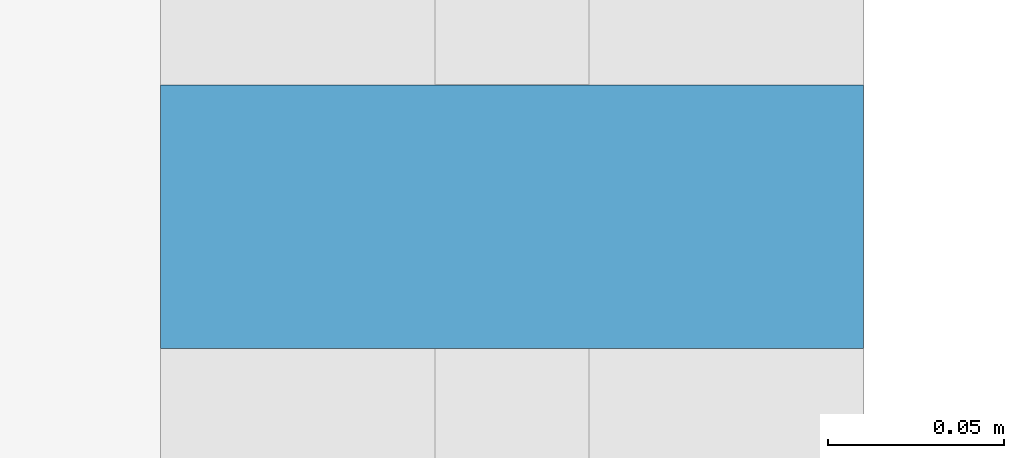
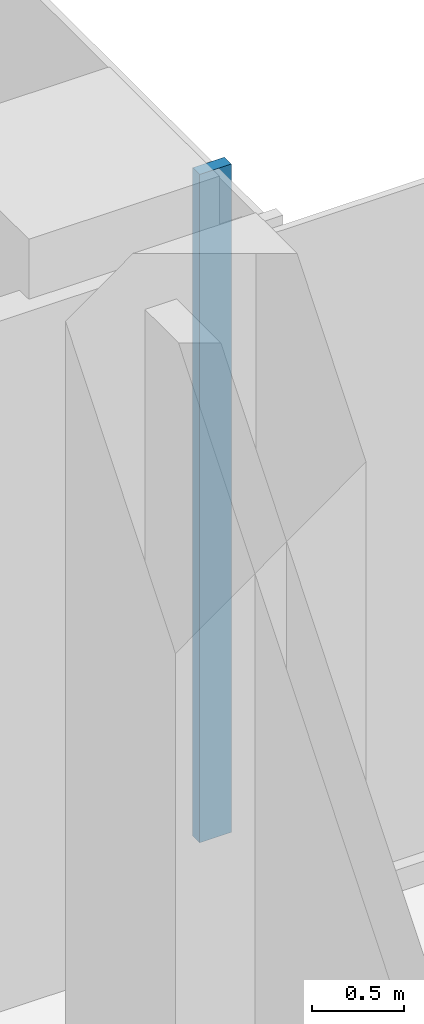
# One storey, part 4 of 30: 1 member, 1 element without a shape of its own.
"""IFC4 building model written with IfcOpenShell, lengths in metres."""

from ifc_helpers import new_model, si_unit, direction, frame, origin, origin_2d, place, context, subcontext, project, spatial, rectangle, extrude, source, transform, mapped, material, material_profile, profile_set, type_object, element, aggregate, save


model = new_model("IFC4")

# Units and contexts
model_context = context("Model", 3, precision=1e-05, world=origin(), true_north=direction((0.0, 1.0)))
body_context = subcontext(model_context, "Body", "Model", "MODEL_VIEW")
ifc_project = project(units=[si_unit("LENGTHUNIT", "METRE"), si_unit("AREAUNIT", "SQUARE_METRE"), si_unit("VOLUMEUNIT", "CUBIC_METRE"), si_unit("PLANEANGLEUNIT", "RADIAN"), si_unit("MASSUNIT", "GRAM", prefix="KILO")], contexts=[model_context])

# Site, building, storey
site_placement = place(None, origin())
site = spatial("IfcSite", under=ifc_project, at=site_placement, CompositionType="ELEMENT")
building_placement = place(site_placement, origin())
building = spatial("IfcBuilding", under=site, at=building_placement, Name="Kemantara Hotel Tower", CompositionType="ELEMENT")
storey_placement = place(building_placement, frame((0.0, 0.0, 13.0)))
storey = spatial("IfcBuildingStorey", under=building, at=storey_placement, Name="L02", CompositionType="ELEMENT", Elevation=13.0)

# Curtain wall, member
ifc_material_1 = material(Name="Laminated tinted insulated glass 44 mm", Category="glass")
curtain_wall_type = type_object("IfcCurtainWallType", Name="PODIUM GLASS CURTAIN WALL", PredefinedType="USERDEFINED", material=ifc_material_1)
curtain_wall_placement = place(storey_placement, origin())
curtain_wall = element("IfcCurtainWall", 1, at=curtain_wall_placement, inside=storey, type_object=curtain_wall_type, Name="CW1 L02 POD-R08-1", ObjectType="PODIUM GLASS CURTAIN WALL", PredefinedType="USERDEFINED")
ifc_material_2 = material(Name="Aluminium 6063-T6 bronze anodised", Category="aluminium")
ifc_material_profile = material_profile(ifc_material_2, rectangle(XDim=0.199951171875, YDim=0.074951171875, at=origin_2d()), Name="PODIUM GLASS CURTAIN WALL MULLION")
ifc_profile_set = profile_set([ifc_material_profile], Name="Aluminium 6063-T6 bronze anodised")
member_type = type_object("IfcMemberType", Name="PODIUM GLASS CURTAIN WALL MULLION", PredefinedType="MULLION", material=ifc_profile_set)
shared_shape = source(origin(), body_context, "Body", "SweptSolid", [
    extrude(rectangle(XDim=0.199951171875, YDim=0.074951171875, at=origin_2d()), origin(), (0.0, 0.0, 1.0), 4.4501953125),
])
member_placement = place(storey_placement, frame((63.5, 27.39990234375, 0.14990234375), z_axis=(0.0, 0.0, 1.0), x_axis=(-1.0, 0.0, 0.0)))
member = element("IfcMember", 2, at=member_placement, type_object=member_type, Name="CW1 mullion POD-R08-1.2", PredefinedType="MULLION", context=body_context, shape_type="MappedRepresentation", body=[
    mapped(shared_shape, transform((0.0, 0.0, 0.0))),
])
aggregate(curtain_wall, [member])

save(model, "model.ifc")
